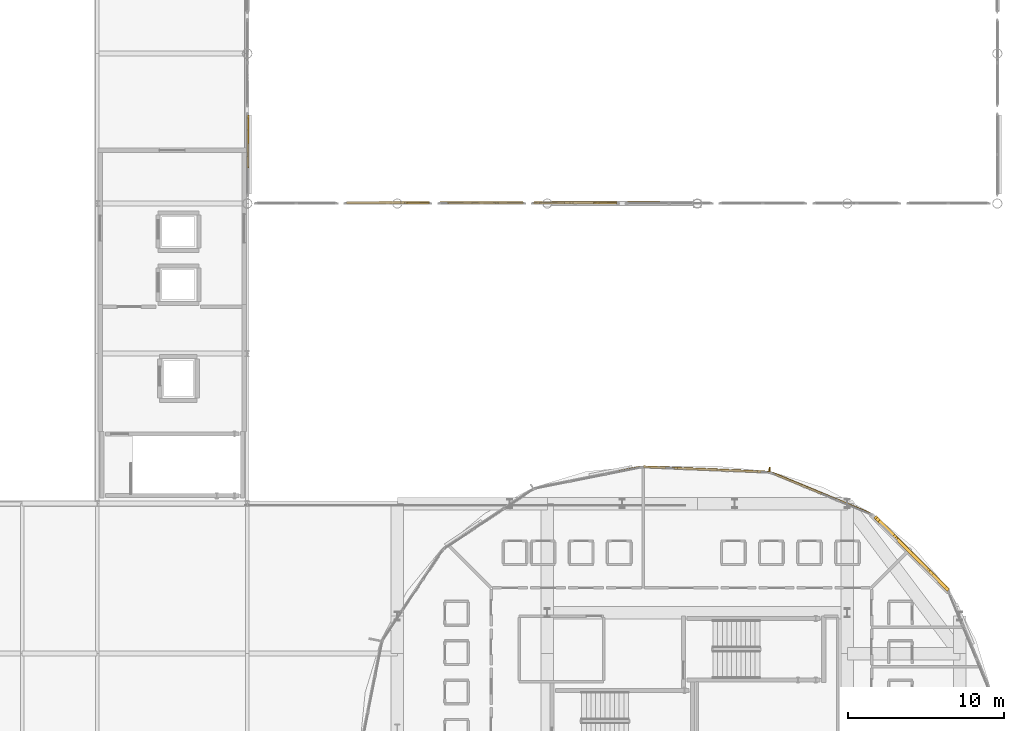
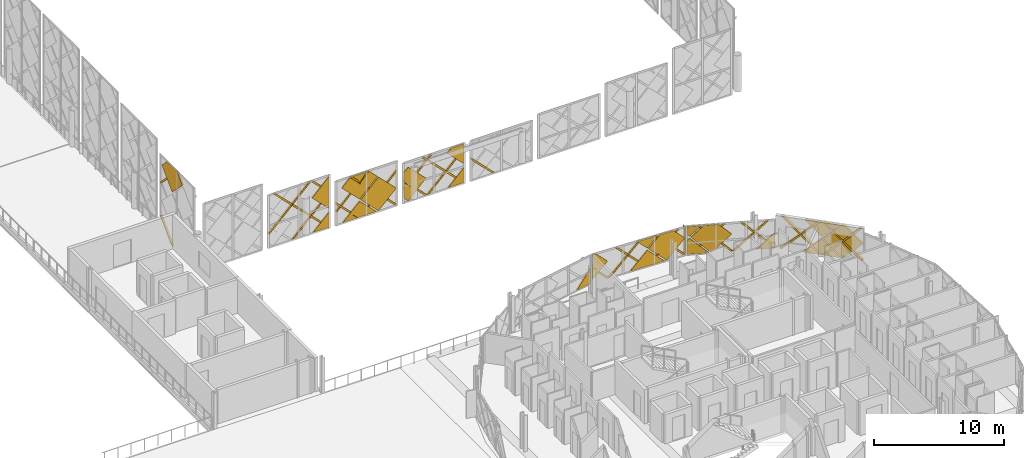
# One storey, part 46 of 53: 49 coverings, 1 shading device.
"""IFC4 building model written with IfcOpenShell, lengths in metres."""

from ifc_helpers import new_model, si_unit, direction, frame, origin, origin_2d, place, context, subcontext, project, spatial, polyline, rectangle, outline, extrude, material, layer, layer_set, type_object, element, save


model = new_model("IFC4")

# Units and contexts
model_context = context("Model", 3, precision=1e-05, world=origin(), true_north=direction((0.0, 1.0)))
body_context = subcontext(model_context, "Body", "Model", "MODEL_VIEW")
ifc_project = project(units=[si_unit("LENGTHUNIT", "METRE"), si_unit("AREAUNIT", "SQUARE_METRE"), si_unit("VOLUMEUNIT", "CUBIC_METRE"), si_unit("PLANEANGLEUNIT", "RADIAN"), si_unit("MASSUNIT", "GRAM", prefix="KILO")], contexts=[model_context])

# Site, building, storey
site_placement = place(None, origin())
site = spatial("IfcSite", under=ifc_project, at=site_placement, CompositionType="ELEMENT")
building_placement = place(site_placement, origin())
building = spatial("IfcBuilding", under=site, at=building_placement, Name="Zevrakil Square Congress Hotel", CompositionType="ELEMENT")
storey_placement = place(building_placement, frame((0.0, 0.0, 14.699951171875)))
storey = spatial("IfcBuildingStorey", under=building, at=storey_placement, Name="L04", CompositionType="ELEMENT", Elevation=14.699951171875)

# Coverings
ifc_material_1 = material(Name="Architectural White Fibre-C GRC", Category="concrete")
ifc_layer_1 = layer(ifc_material_1, 0.06494140625)
ifc_layer_set_1 = layer_set([ifc_layer_1], Name="Architectural White Fibre-C GRC")
covering_type_1 = type_object("IfcCoveringType", Name="COV-DIA-WHITE", PredefinedType="CLADDING", material=ifc_layer_set_1)
covering_1_placement = place(storey_placement, frame((117.69091796875, 70.27001953125, 6.4599609375), z_axis=(0.999999803119, 0.0, 0.000627505033), x_axis=(0.000443679039, -0.707161000869, -0.707052418141)))
element("IfcCovering", 1, at=covering_1_placement, inside=storey, type_object=covering_type_1, Name="L04 45-degree white GRC diamond facade cassette 1169", PredefinedType="CLADDING", context=body_context, shape_type="SweptSolid", body=[
    extrude(outline(polyline([(0.0, 0.0), (2.248551445388027, 0.0), (2.248723641677915, -2.2483787986918093), (1.1796043338090656, -2.2486335248766522), (8.18831416173893e-05, -1.0692919546146604), (0.0, 0.0)])), origin(), (0.0, 0.0, -1.0), 0.1201171875),
])
covering_2_placement = place(storey_placement, frame((127.840087890625, 64.89501953125, -0.179931640625), z_axis=(0.0, 0.999999760125, 0.000692640526), x_axis=(1.0, 0.0, 0.0)))
element("IfcCovering", 2, at=covering_2_placement, inside=storey, type_object=covering_type_1, Name="L04 45-degree white GRC diamond facade cassette 1390", PredefinedType="CLADDING", context=body_context, shape_type="SweptSolid", body=[
    extrude(outline(polyline([(0.0, 0.0), (1.409912109375, 0.0), (1.409912109375, -1.4099124475784228), (0.0, 0.0)])), origin(), (0.0, 0.0, -1.0), 0.1201171875),
])
covering_3_placement = place(storey_placement, frame((127.760009765625, 64.89306640625, 3.10009765625), z_axis=(8.1926907e-05, 0.9999998322, 0.000573488352), x_axis=(0.707106738472, 0.000347586468, -0.707106738472)))
element("IfcCovering", 3, at=covering_3_placement, inside=storey, type_object=covering_type_1, Name="L04 45-degree white GRC diamond facade cassette 1392", PredefinedType="CLADDING", context=body_context, shape_type="SweptSolid", body=[
    extrude(outline(polyline([(0.0, 0.0), (2.107164524546562, -2.220446049250313e-16), (-3.394399104017509e-07, -2.1071646235498394), (0.0, 0.0)])), origin(), (0.0, 0.0, -1.0), 0.1201171875),
])
covering_4_placement = place(storey_placement, frame((131.989990234375, 64.89404296875, 1.330078125), z_axis=(0.0, 0.999999790873, 0.000646725815), x_axis=(-0.707106707249, 0.000457304257, -0.707106707249)))
element("IfcCovering", 4, at=covering_4_placement, inside=storey, type_object=covering_type_1, Name="L04 45-degree white GRC diamond facade cassette 1399", PredefinedType="CLADDING", context=body_context, shape_type="SweptSolid", body=[
    extrude(outline(polyline([(0.0, 0.0), (2.1354765131557993, 0.0), (4.465861884739297e-07, -2.1354765131557527), (0.0, 0.0)])), origin(), (0.0, 0.0, -1.0), 0.1201171875),
])
covering_5_placement = place(storey_placement, frame((133.669921875, 64.89306640625, 3.010009765625), z_axis=(2.3579e-08, 0.999999812541, 0.0006123053), x_axis=(-0.707106714489, 0.000432981944, -0.707106715321)))
element("IfcCovering", 5, at=covering_5_placement, inside=storey, type_object=covering_type_1, Name="L04 45-degree white GRC diamond facade cassette 1400", PredefinedType="CLADDING", context=body_context, shape_type="SweptSolid", body=[
    extrude(outline(polyline([(0.0, 0.0), (2.248378805382471, -2.220446049250313e-16), (2.248551863014511, -2.248551438825186), (0.01398373565752209, -2.2485514362281265), (4.241484949929486e-07, -2.2345681273566456), (0.0, 0.0)])), origin(), (0.0, 0.0, -1.0), 0.1201171875),
])
covering_6_placement = place(storey_placement, frame((130.39990234375, 64.89306640625, 3.10009765625), z_axis=(0.0, 0.999999855709, 0.000537198242), x_axis=(0.707106744717, 0.000379856539, -0.707106715627)))
element("IfcCovering", 6, at=covering_6_placement, inside=storey, type_object=covering_type_1, Name="L04 45-degree white GRC diamond facade cassette 1401", PredefinedType="CLADDING", context=body_context, shape_type="SweptSolid", body=[
    extrude(outline(polyline([(0.0, 0.0), (2.2487239762670375, 0.0), (2.2487237443071715, -2.2487239762670255), (1.1739075182906178, -2.2487240287661034), (-1.633682773505285e-07, -1.0748162260165428), (0.0, 0.0)])), origin(), (0.0, 0.0, -1.0), 0.1201171875),
])
covering_7_placement = place(storey_placement, frame((139.840087890625, 64.89501953125, -0.179931640625), z_axis=(0.0, 0.999999760125, 0.000692640526), x_axis=(1.0, 0.0, 0.0)))
element("IfcCovering", 7, at=covering_7_placement, inside=storey, type_object=covering_type_1, Name="L04 45-degree white GRC diamond facade cassette 1406", PredefinedType="CLADDING", context=body_context, shape_type="SweptSolid", body=[
    extrude(outline(polyline([(0.0, 0.0), (1.409912109375, 0.0), (1.409912109375, -1.4099124475784228), (0.0, 0.0)])), origin(), (0.0, 0.0, -1.0), 0.1201171875),
])
covering_8_placement = place(storey_placement, frame((136.31005859375, 64.89501953125, -0.169921875), z_axis=(-3.3643e-08, 0.999999812817, 0.000611854538), x_axis=(0.707052423992, -0.000432655961, 0.707161001849)))
element("IfcCovering", 8, at=covering_8_placement, inside=storey, type_object=covering_type_1, Name="L04 45-degree white GRC diamond facade cassette 1407", PredefinedType="CLADDING", context=body_context, shape_type="SweptSolid", body=[
    extrude(outline(polyline([(0.0, 0.0), (2.2485514454837037, -2.220446049250313e-16), (2.248724489826509, -2.2483787987223134), (1.7396282801660223, -2.2485905083050195), (-0.00013344140794085968, -0.5090962361932889), (0.0, 0.0)])), origin(), (0.0, 0.0, -1.0), 0.1201171875),
])
covering_9_placement = place(storey_placement, frame((139.760009765625, 64.89306640625, 3.10009765625), z_axis=(3.1678661e-05, 0.99999984975, 0.000547262537), x_axis=(0.707106739112, 0.000364572883, -0.707106729277)))
element("IfcCovering", 9, at=covering_9_placement, inside=storey, type_object=covering_type_1, Name="L04 45-degree white GRC diamond facade cassette 1408", PredefinedType="CLADDING", context=body_context, shape_type="SweptSolid", body=[
    extrude(outline(polyline([(0.0, 0.0), (2.107164524242563, 0.0), (0.7991202991382802, -1.3080440691485413), (0.000172548013121665, -0.5090962237457202), (0.0, 0.0)])), origin(), (0.0, 0.0, -1.0), 0.1201171875),
])
covering_10_placement = place(storey_placement, frame((160.227783203125, 42.42578125, 1.590087890625), z_axis=(0.70714710872, 0.70706626419, 0.000514464006), x_axis=(-0.499716692516, 0.500288319938, -0.707103121302)))
element("IfcCovering", 10, at=covering_10_placement, inside=storey, type_object=covering_type_1, Name="L04 45-degree white GRC diamond facade cassette 2236", PredefinedType="CLADDING", context=body_context, shape_type="SweptSolid", body=[
    extrude(outline(polyline([(0.0, 0.0), (2.1354873428434074, 0.0), (0.00010059302879517062, -2.1353652102343084), (0.0, 0.0)])), origin(), (0.0, 0.0, -1.0), 0.2099609375),
])
covering_11_placement = place(storey_placement, frame((160.291259765625, 42.362060546875, 1.679931640625), z_axis=(0.707106653014, 0.707106682595, 0.000566297132), x_axis=(0.500327645813, -0.499761378181, -0.707043712732)))
element("IfcCovering", 11, at=covering_11_placement, inside=storey, type_object=covering_type_1, Name="L04 45-degree white GRC diamond facade cassette 2237", PredefinedType="CLADDING", context=body_context, shape_type="SweptSolid", body=[
    extrude(outline(polyline([(0.0, 0.0), (2.2485791193809135, -2.220446049250313e-16), (2.2485593451645354, -2.234349563783218), (2.2345772795563033, -2.248334119202912), (0.19115304317137372, -2.248727413763295), (0.00021807814135788028, -2.0578264428065225), (0.0, 0.0)])), origin(), (0.0, 0.0, -1.0), 0.2099609375),
])
covering_12_placement = place(storey_placement, frame((160.2275390625, 42.425537109375, 1.77001953125), z_axis=(0.707106690704, 0.707106690704, 0.000505889244), x_axis=(0.499719561869, -0.500225478915, 0.707145550597)))
element("IfcCovering", 12, at=covering_12_placement, inside=storey, type_object=covering_type_1, Name="L04 45-degree white GRC diamond facade cassette 2238", PredefinedType="CLADDING", context=body_context, shape_type="SweptSolid", body=[
    extrude(outline(polyline([(0.0, 0.0), (1.9302818680281644, 1.1102230246251565e-16), (-3.195948134027127e-05, -1.9305260104099529), (0.0, 0.0)])), origin(), (0.0, 0.0, -1.0), 0.2099609375),
])
covering_13_placement = place(storey_placement, frame((156.171630859375, 45.549560546875, 0.080078125), z_axis=(0.382708598301, 0.923868946577, 0.000546201807), x_axis=(0.923869084389, -0.382708655389, 0.0)))
element("IfcCovering", 13, at=covering_13_placement, inside=storey, type_object=covering_type_1, Name="L04 45-degree white GRC diamond facade cassette 2243", PredefinedType="CLADDING", context=body_context, shape_type="SweptSolid", body=[
    extrude(outline(polyline([(0.0, 0.0), (1.409821214264322, 0.0), (1.4098759644796002, -1.4099123196891088), (0.0, 0.0)])), origin(), (0.0, 0.0, -1.0), 0.1201171875),
])
covering_14_placement = place(storey_placement, frame((151.35791015625, 47.54248046875, 1.590087890625), z_axis=(0.382714743738, 0.923866349879, 0.000626487164), x_axis=(-0.653201728691, 0.271070440395, -0.706999517665)))
element("IfcCovering", 14, at=covering_14_placement, inside=storey, type_object=covering_type_1, Name="L04 45-degree white GRC diamond facade cassette 2244", PredefinedType="CLADDING", context=body_context, shape_type="SweptSolid", body=[
    extrude(outline(polyline([(0.0, 0.0), (0.2627880900411389, -2.7755575615628914e-17), (1.199049172416016, -0.936467338451697), (-0.00019416830248641936, -2.135347450146476), (0.0, 0.0)])), origin(), (0.0, 0.0, -1.0), 0.1201171875),
])
covering_15_placement = place(storey_placement, frame((151.44091796875, 47.508056640625, 1.679931640625), z_axis=(0.382706349542, 0.923869821959, 0.000634108331), x_axis=(0.65351296242, -0.270227707217, -0.70703450708)))
element("IfcCovering", 15, at=covering_15_placement, inside=storey, type_object=covering_type_1, Name="L04 45-degree white GRC diamond facade cassette 2245", PredefinedType="CLADDING", context=body_context, shape_type="SweptSolid", body=[
    extrude(outline(polyline([(0.0, 0.0), (2.248608397014498, -4.440892098500626e-16), (2.2488916284757865, -2.248432880440708), (0.8347152941124307, -2.248614654048839), (0.00011808988431716294, -1.414187699903127), (0.0, 0.0)])), origin(), (0.0, 0.0, -1.0), 0.1201171875),
])
covering_16_placement = place(storey_placement, frame((151.35791015625, 47.54248046875, 1.77001953125), z_axis=(0.382560482311, 0.923930168735, 0.000721578016), x_axis=(0.653108758029, -0.270977020844, 0.707121209101)))
element("IfcCovering", 16, at=covering_16_placement, inside=storey, type_object=covering_type_1, Name="L04 45-degree white GRC diamond facade cassette 2246", PredefinedType="CLADDING", context=body_context, shape_type="SweptSolid", body=[
    extrude(outline(polyline([(0.0, 0.0), (1.2867839976174247, 0.0), (0.5118864045127027, -0.7749294121196418), (-6.168495400851737e-05, -0.2628155674670546), (0.0, 0.0)])), origin(), (0.0, 0.0, -1.0), 0.1201171875),
])
covering_17_placement = place(storey_placement, frame((147.70458984375, 47.800048828125, 1.590087890625), z_axis=(0.041956703621, 0.999119267912, 0.000568778624), x_axis=(-0.706443978215, 0.03006874353, -0.707129957155)))
element("IfcCovering", 17, at=covering_17_placement, inside=storey, type_object=covering_type_1, Name="L04 45-degree white GRC diamond facade cassette 2251", PredefinedType="CLADDING", context=body_context, shape_type="SweptSolid", body=[
    extrude(outline(polyline([(0.0, 0.0), (2.13540630027922, 0.0), (1.889679940902944e-05, -2.13552807919854), (0.0, 0.0)])), origin(), (0.0, 0.0, -1.0), 0.1201171875),
])
covering_18_placement = place(storey_placement, frame((147.794677734375, 47.796142578125, 1.679931640625), z_axis=(0.041965717325, 0.99911883263, 0.000660948393), x_axis=(0.706533573361, -0.0292085848, -0.707076493943)))
element("IfcCovering", 18, at=covering_18_placement, inside=storey, type_object=covering_type_1, Name="L04 45-degree white GRC diamond facade cassette 2252", PredefinedType="CLADDING", context=body_context, shape_type="SweptSolid", body=[
    extrude(outline(polyline([(0.0, 0.0), (2.2484749022784696, -2.220446049250313e-16), (2.2485502406466775, -2.234548547156217), (2.2345675267771896, -2.248532452775788), (0.8484183785809655, -2.2486895653343986), (-0.000166422992699089, -1.400177145474197), (0.0, 0.0)])), origin(), (0.0, 0.0, -1.0), 0.1201171875),
])
covering_19_placement = place(storey_placement, frame((144.2578125, 47.944580078125, 1.679931640625), z_axis=(0.042028409695, 0.999116217693, 0.000629540493), x_axis=(-0.706455389839, 0.029271885717, 0.707151991353)))
element("IfcCovering", 19, at=covering_19_placement, inside=storey, type_object=covering_type_1, Name="L04 45-degree white GRC diamond facade cassette 2253", PredefinedType="CLADDING", context=body_context, shape_type="SweptSolid", body=[
    extrude(outline(polyline([(0.0, 0.0), (1.4003133284556573, 0.0), (1.6266479266986906, -0.22636360997331995), (3.422196012903278e-05, -1.8525107964297702), (0.0, 0.0)])), origin(), (0.0, 0.0, -1.0), 0.1201171875),
])
covering_20_placement = place(storey_placement, frame((147.70458984375, 47.7998046875, 1.77001953125), z_axis=(0.04190695319, 0.999121437383, 0.000400794326), x_axis=(0.706502547142, -0.02991704597, 0.707077874949)))
element("IfcCovering", 20, at=covering_20_placement, inside=storey, type_object=covering_type_1, Name="L04 45-degree white GRC diamond facade cassette 2254", PredefinedType="CLADDING", context=body_context, shape_type="SweptSolid", body=[
    extrude(outline(polyline([(0.0, 0.0), (1.2730514081492075, 0.0), (9.031635253342607e-05, -1.2728572263651057), (0.0, 0.0)])), origin(), (0.0, 0.0, -1.0), 0.1201171875),
])
covering_21_placement = place(storey_placement, frame((141.345458984375, 47.70849609375, 0.080078125), z_axis=(-0.195117182695, 0.980779804763, 0.000509496002), x_axis=(0.980779932061, 0.19511720802, 0.0)))
element("IfcCovering", 21, at=covering_21_placement, inside=storey, type_object=covering_type_1, Name="L04 45-degree white GRC diamond facade cassette 2260", PredefinedType="CLADDING", context=body_context, shape_type="SweptSolid", body=[
    extrude(outline(polyline([(0.0, 0.0), (1.4101600118571058, 0.0), (1.410017103745763, -1.4099122923718828), (0.0, 0.0)])), origin(), (0.0, 0.0, -1.0), 0.1201171875),
])
ifc_material_2 = material(Name="Anodised Champagne Aluminium", Category="aluminium")
ifc_layer_2 = layer(ifc_material_2, 0.0849609375)
ifc_layer_set_2 = layer_set([ifc_layer_2], Name="Anodised Champagne Aluminium")
covering_type_2 = type_object("IfcCoveringType", Name="COV-DIAGRID-45", PredefinedType="MOLDING", material=ifc_layer_set_2)
covering_22_placement = place(storey_placement, frame((117.719970703125, 68.8662109375, -0.179931640625), z_axis=(0.999999916523, 0.000288757226, 0.000289089512), x_axis=(0.000288757214, -0.99999995831, 8.3477e-08)))
element("IfcCovering", 22, at=covering_22_placement, inside=storey, type_object=covering_type_2, Name="L04 45-degree aluminium diagrid rib 1172", PredefinedType="MOLDING", context=body_context, shape_type="SweptSolid", body=[
    extrude(outline(polyline([(0.0, 0.0), (0.21240233489486798, -2.81112161297318e-24), (-1.5837403004017168, -1.796142785384697), (-1.5837403181119811, -1.5839845911250197), (0.0, 0.0)])), origin(), (0.0, 0.0, -1.0), 0.14501953125),
])
covering_23_placement = place(storey_placement, frame((117.715576171875, 67.81787109375, 7.216064453125), z_axis=(0.999999915927, -0.0002899531, 0.0002899531), x_axis=(0.000289953088, 0.999999957964, 8.4073e-08)))
element("IfcCovering", 23, at=covering_23_placement, inside=storey, type_object=covering_type_2, Name="L04 45-degree aluminium diagrid rib 1175", PredefinedType="MOLDING", context=body_context, shape_type="SweptSolid", body=[
    extrude(outline(polyline([(0.0, 0.0), (0.2121581942066327, 0.0), (2.6320801887681777, -2.4199221980111894), (2.632080170931443, -2.6320803922178215), (0.0, 0.0)])), origin(), (0.0, 0.0, -1.0), 0.14501953125),
])
covering_24_placement = place(storey_placement, frame((129.25, 64.91796875, 3.093994140625), z_axis=(-0.000334420162, 0.999999888163, 0.000334420162), x_axis=(1.11837e-07, -0.000334420143, 0.999999944082)))
element("IfcCovering", 24, at=covering_24_placement, inside=storey, type_object=covering_type_2, Name="L04 45-degree aluminium diagrid rib 1394", PredefinedType="MOLDING", context=body_context, shape_type="SweptSolid", body=[
    extrude(outline(polyline([(0.0, 0.0), (0.2121581912614477, 5.6157808774107894e-24), (1.5661621969523216, -1.3540041571184345), (1.5661621732252162, -1.5661623483798808), (0.0, 0.0)])), origin(), (0.0, 0.0, -1.0), 0.14501953125),
])
covering_25_placement = place(storey_placement, frame((129.163818359375, 64.919921875, -0.179931640625), z_axis=(-0.000181110451, 0.999999891618, 0.000428908858), x_axis=(0.9999999836, 0.000181110434, 7.768e-08)))
element("IfcCovering", 25, at=covering_25_placement, inside=storey, type_object=covering_type_2, Name="L04 45-degree aluminium diagrid rib 1395", PredefinedType="MOLDING", context=body_context, shape_type="SweptSolid", body=[
    extrude(outline(polyline([(0.0, 0.0), (0.0861816392115782, 0.0), (0.0861816489974222, -0.12597655091249796), (-4.627685625598192, -4.840088701995825), (-4.839843825243692, -4.840088701995825), (0.0, 0.0)])), origin(), (0.0, 0.0, -1.0), 0.14501953125),
])
covering_26_placement = place(storey_placement, frame((129.25, 64.918212890625, 2.89404296875), z_axis=(-0.000287477056, 0.99999958606, 0.000863270454), x_axis=(-8.2643e-08, -0.000863270513, 0.999999627382)))
element("IfcCovering", 26, at=covering_26_placement, inside=storey, type_object=covering_type_2, Name="L04 45-degree aluminium diagrid rib 1397", PredefinedType="MOLDING", context=body_context, shape_type="SweptSolid", body=[
    extrude(outline(polyline([(0.0, 0.0), (0.21215833483042407, 1.3234889800848443e-23), (-3.0739746676964605, -3.286133202330571), (-3.073974685229852, -3.0739750079722734), (0.0, 0.0)])), origin(), (0.0, 0.0, -1.0), 0.14501953125),
])
covering_27_placement = place(storey_placement, frame((127.656005859375, 64.9169921875, 4.66015625), z_axis=(0.000305348139, 0.99999990687, 0.000304997164), x_axis=(-0.999999953381, 0.000305348125, 9.313e-08)))
element("IfcCovering", 27, at=covering_27_placement, inside=storey, type_object=covering_type_2, Name="L04 45-degree aluminium diagrid rib 1398", PredefinedType="MOLDING", context=body_context, shape_type="SweptSolid", body=[
    extrude(outline(polyline([(0.0, 0.0), (0.212158193234451, -2.8078904387053947e-24), (3.7060548602716223, -3.4938969920279583), (3.7060548404905242, -3.706299325898777), (0.0, 0.0)])), origin(), (0.0, 0.0, -1.0), 0.14501953125),
])
covering_28_placement = place(storey_placement, frame((135.163818359375, 64.919921875, -0.179931640625), z_axis=(-0.000180987837, 0.999999891614, 0.000428969235), x_axis=(0.999999983622, 0.000180987821, 7.7638e-08)))
element("IfcCovering", 28, at=covering_28_placement, inside=storey, type_object=covering_type_2, Name="L04 45-degree aluminium diagrid rib 1402", PredefinedType="MOLDING", context=body_context, shape_type="SweptSolid", body=[
    extrude(outline(polyline([(0.0, 0.0), (0.08618163921349134, 0.0), (0.08618164899408683, -0.12597655090923543), (-3.8276367842631966, -4.0400397380750634), (-4.040039124534407, -4.0400397380750634), (0.0, 0.0)])), origin(), (0.0, 0.0, -1.0), 0.14501953125),
])
covering_29_placement = place(storey_placement, frame((131.803955078125, 64.919921875, -0.179931640625), z_axis=(-0.0003115794, 0.99999990303, 0.000311221263), x_axis=(0.999999951459, 0.000311579385, 9.697e-08)))
element("IfcCovering", 29, at=covering_29_placement, inside=storey, type_object=covering_type_2, Name="L04 45-degree aluminium diagrid rib 1403", PredefinedType="MOLDING", context=body_context, shape_type="SweptSolid", body=[
    extrude(outline(polyline([(0.0, 0.0), (0.21215819282665782, 0.0), (-1.854003996244953, -2.0661623892209127), (-1.8540040168416378, -1.853760055757419), (0.0, 0.0)])), origin(), (0.0, 0.0, -1.0), 0.14501953125),
])
covering_30_placement = place(storey_placement, frame((135.25, 64.918212890625, 2.89404296875), z_axis=(-0.000287477056, 0.99999958606, 0.000863270454), x_axis=(-8.2643e-08, -0.000863270513, 0.999999627382)))
element("IfcCovering", 30, at=covering_30_placement, inside=storey, type_object=covering_type_2, Name="L04 45-degree aluminium diagrid rib 1404", PredefinedType="MOLDING", context=body_context, shape_type="SweptSolid", body=[
    extrude(outline(polyline([(0.0, 0.0), (0.21215833483042407, 1.3234889800848443e-23), (-3.0739746676964605, -3.286133202330571), (-3.073974685229852, -3.0739750079722734), (0.0, 0.0)])), origin(), (0.0, 0.0, -1.0), 0.14501953125),
])
covering_31_placement = place(storey_placement, frame((132.856201171875, 64.91748046875, 3.860107421875), z_axis=(0.000305170431, 0.999999906871, 0.000305170431), x_axis=(-0.999999953436, 0.000305170417, 9.3129e-08)))
element("IfcCovering", 31, at=covering_31_placement, inside=storey, type_object=covering_type_2, Name="L04 45-degree aluminium diagrid rib 1405", PredefinedType="MOLDING", context=body_context, shape_type="SweptSolid", body=[
    extrude(outline(polyline([(0.0, 0.0), (0.21240233385959167, 0.0), (2.906250135328076, -2.6938480523438493), (2.906250115547259, -2.90625038620344), (0.0, 0.0)])), origin(), (0.0, 0.0, -1.0), 0.14501953125),
])
covering_32_placement = place(storey_placement, frame((141.163818359375, 64.919921875, -0.179931640625), z_axis=(-0.000181083774, 0.99999989165, 0.000428845682), x_axis=(0.999999983604, 0.000181083757, 7.7657e-08)))
element("IfcCovering", 32, at=covering_32_placement, inside=storey, type_object=covering_type_2, Name="L04 45-degree aluminium diagrid rib 1409", PredefinedType="MOLDING", context=body_context, shape_type="SweptSolid", body=[
    extrude(outline(polyline([(0.0, 0.0), (0.08618163921199454, 1.1406045165281983e-24), (0.08618164899495591, -0.1259765509159113), (-3.4277344340260023, -3.639893185709056), (-3.639892633672527, -3.639893185709056), (0.0, 0.0)])), origin(), (0.0, 0.0, -1.0), 0.14501953125),
])
covering_33_placement = place(storey_placement, frame((137.803955078125, 64.919921875, -0.179931640625), z_axis=(-0.0003115794, 0.99999990303, 0.000311221263), x_axis=(0.999999951459, 0.000311579385, 9.697e-08)))
element("IfcCovering", 33, at=covering_33_placement, inside=storey, type_object=covering_type_2, Name="L04 45-degree aluminium diagrid rib 1410", PredefinedType="MOLDING", context=body_context, shape_type="SweptSolid", body=[
    extrude(outline(polyline([(0.0, 0.0), (0.21215819282665782, 0.0), (-1.854003996244953, -2.0661623892209127), (-1.8540040168416378, -1.853760055757419), (0.0, 0.0)])), origin(), (0.0, 0.0, -1.0), 0.14501953125),
])
covering_34_placement = place(storey_placement, frame((141.25, 64.918212890625, 2.89404296875), z_axis=(-0.000287477056, 0.99999958606, 0.000863270454), x_axis=(-8.2643e-08, -0.000863270513, 0.999999627382)))
element("IfcCovering", 34, at=covering_34_placement, inside=storey, type_object=covering_type_2, Name="L04 45-degree aluminium diagrid rib 1411", PredefinedType="MOLDING", context=body_context, shape_type="SweptSolid", body=[
    extrude(outline(polyline([(0.0, 0.0), (0.21215833483042407, 1.3234889800848443e-23), (-3.0739746676964605, -3.286133202330571), (-3.073974685229852, -3.0739750079722734), (0.0, 0.0)])), origin(), (0.0, 0.0, -1.0), 0.14501953125),
])
covering_35_placement = place(storey_placement, frame((138.4560546875, 64.917724609375, 3.4599609375), z_axis=(0.000305355897, 0.999999906865, 0.000305004913), x_axis=(-0.999999953379, 0.000305355883, 9.3135e-08)))
element("IfcCovering", 35, at=covering_35_placement, inside=storey, type_object=covering_type_2, Name="L04 45-degree aluminium diagrid rib 1412", PredefinedType="MOLDING", context=body_context, shape_type="SweptSolid", body=[
    extrude(outline(polyline([(0.0, 0.0), (0.21215819323394844, 0.0), (2.5061036324623407, -2.2937015119703363), (2.506103612680237, -2.506103845840653), (0.0, 0.0)])), origin(), (0.0, 0.0, -1.0), 0.14501953125),
])
covering_36_placement = place(storey_placement, frame((143.803955078125, 64.919921875, -0.179931640625), z_axis=(-0.0003115794, 0.99999990303, 0.000311221263), x_axis=(0.999999951459, 0.000311579385, 9.697e-08)))
element("IfcCovering", 36, at=covering_36_placement, inside=storey, type_object=covering_type_2, Name="L04 45-degree aluminium diagrid rib 1417", PredefinedType="MOLDING", context=body_context, shape_type="SweptSolid", body=[
    extrude(outline(polyline([(0.0, 0.0), (0.21215819282665782, 0.0), (-1.854003996244953, -2.0661623892209127), (-1.8540040168416378, -1.853760055757419), (0.0, 0.0)])), origin(), (0.0, 0.0, -1.0), 0.14501953125),
])
covering_37_placement = place(storey_placement, frame((162.490234375, 40.19970703125, 0.080078125), z_axis=(0.707265740418, 0.706947303806, 0.000825876555), x_axis=(0.706947545009, -0.707265981513, -1.85962e-07)))
element("IfcCovering", 37, at=covering_37_placement, inside=storey, type_object=covering_type_2, Name="L04 45-degree aluminium diagrid rib 2239", PredefinedType="MOLDING", context=body_context, shape_type="SweptSolid", body=[
    extrude(outline(polyline([(0.0, 0.0), (0.08597147658789239, 0.0), (0.0859714531610962, -0.1259765195374422), (-2.8427557729872794, -3.0549321670964997), (-3.0549223675346657, -3.0549320245225426), (0.0, 0.0)])), origin(), (0.0, 0.0, -1.0), 0.235107421875),
])
covering_38_placement = place(storey_placement, frame((160.114501953125, 42.57568359375, 0.080078125), z_axis=(0.707681169288, 0.7065304682, 0.001435318675), x_axis=(0.706531195977, -0.70768189825, 0.0)))
element("IfcCovering", 38, at=covering_38_placement, inside=storey, type_object=covering_type_2, Name="L04 45-degree aluminium diagrid rib 2240", PredefinedType="MOLDING", context=body_context, shape_type="SweptSolid", body=[
    extrude(outline(polyline([(0.0, 0.0), (0.21216663128756907, 0.0), (-2.8429257113415254, -3.0549347874228387), (-3.0550923426290946, -3.0549347874228387), (0.0, 0.0)])), origin(), (0.0, 0.0, -1.0), 0.235107421875),
])
covering_39_placement = place(storey_placement, frame((162.53662109375, 40.15087890625, 3.135009765625), z_axis=(0.707106668284, 0.707106668284, 0.000565097633), x_axis=(-0.707106781187, 0.707106781187, 0.0)))
element("IfcCovering", 39, at=covering_39_placement, inside=storey, type_object=covering_type_2, Name="L04 45-degree aluminium diagrid rib 2241", PredefinedType="MOLDING", context=body_context, shape_type="SweptSolid", body=[
    extrude(outline(polyline([(0.0, 0.0), (0.21233919454576503, 0.0), (3.2672614601407712, -3.0549321283989266), (3.055267532578007, -3.0549321283989266), (0.0, 0.0)])), origin(), (0.0, 0.0, -1.0), 0.235107421875),
])
covering_40_placement = place(storey_placement, frame((160.16064453125, 42.52685546875, 3.135009765625), z_axis=(0.707106644575, 0.707106644575, 0.000621607376), x_axis=(-0.707106781409, 0.707106780964, 5.05783e-07)))
element("IfcCovering", 40, at=covering_40_placement, inside=storey, type_object=covering_type_2, Name="L04 45-degree aluminium diagrid rib 2242", PredefinedType="MOLDING", context=body_context, shape_type="SweptSolid", body=[
    extrude(outline(polyline([(0.0, 0.0), (0.21216656105429152, 0.0), (3.267087281515894, -3.05493388326922), (3.0549207204617104, -3.054933668648717), (0.0, 0.0)])), origin(), (0.0, 0.0, -1.0), 0.235107421875),
])
covering_41_placement = place(storey_placement, frame((157.404296875, 45.06591796875, 0.080078125), z_axis=(0.382395497625, 0.923998704488, 0.000278388668), x_axis=(0.923998740364, -0.382395512271, -6.67494e-07)))
element("IfcCovering", 41, at=covering_41_placement, inside=storey, type_object=covering_type_2, Name="L04 45-degree aluminium diagrid rib 2247", PredefinedType="MOLDING", context=body_context, shape_type="SweptSolid", body=[
    extrude(outline(polyline([(0.0, 0.0), (0.08605092480542723, 0.0), (0.08614419899623096, -0.12597662048116345), (-2.3880434929591896, -2.5998519952603596), (-2.599958116945036, -2.599851847937726), (0.0, 0.0)])), origin(), (0.0, 0.0, -1.0), 0.14501953125),
])
covering_42_placement = place(storey_placement, frame((154.300048828125, 46.351806640625, 0.080078125), z_axis=(0.382571929627, 0.923925592453, 0.000467195133), x_axis=(0.923925693331, -0.382571971272, -2.48383e-07)))
element("IfcCovering", 42, at=covering_42_placement, inside=storey, type_object=covering_type_2, Name="L04 45-degree aluminium diagrid rib 2248", PredefinedType="MOLDING", context=body_context, shape_type="SweptSolid", body=[
    extrude(outline(polyline([(0.0, 0.0), (0.21214019194507347, 0.0), (-2.387723270996589, -2.5998532062911517), (-2.5999568643018365, -2.5998531008837755), (0.0, 0.0)])), origin(), (0.0, 0.0, -1.0), 0.14501953125),
])
for number, where, z_axis, x_axis, name in (
    (43, (157.04541015625, 45.212890625, 2.679931640625), (0.382775368244, 0.923841302303, 0.000515387888), (-0.923841424969, 0.382775419158, -1.60391e-07), "L04 45-degree aluminium diagrid rib 2249"),
    (44, (153.941162109375, 46.498779296875, 2.679931640625), (0.382775368244, 0.923841302303, 0.000515387888), (-0.923841424969, 0.382775419158, -1.60391e-07), "L04 45-degree aluminium diagrid rib 2250"),
):
    element("IfcCovering", number, at=place(storey_placement, frame(where, z_axis=z_axis, x_axis=x_axis)), inside=storey, type_object=covering_type_2, Name=name, PredefinedType="MOLDING", context=body_context, shape_type="SweptSolid", body=[
        extrude(outline(polyline([(0.0, 0.0), (0.21223361299549906, 0.0), (2.8120901680691976, -2.5998534098834063), (2.6001755533266597, -2.59985347791302), (0.0, 0.0)])), origin(), (0.0, 0.0, -1.0), 0.14501953125),
    ])
covering_43_placement = place(storey_placement, frame((150.876953125, 47.692626953125, 0.080078125), z_axis=(0.04164315776, 0.999132520507, 0.00023211303), x_axis=(0.99913254742, -0.041643158932, 2.16484e-07)))
element("IfcCovering", 45, at=covering_43_placement, inside=storey, type_object=covering_type_2, Name="L04 45-degree aluminium diagrid rib 2255", PredefinedType="MOLDING", context=body_context, shape_type="SweptSolid", body=[
    extrude(outline(polyline([(0.0, 0.0), (0.08601545509664175, 1.0587911840678754e-22), (0.0860154823685466, -0.12597655910641145), (-2.377768241043941, -2.590088481757919), (-2.5901084113148376, -2.590088540144058), (0.0, 0.0)])), origin(), (0.0, 0.0, -1.0), 0.14501953125),
])
covering_44_placement = place(storey_placement, frame((147.52001953125, 47.833740234375, 0.080078125), z_axis=(0.042612523145, 0.999090914277, 0.001232022595), x_axis=(0.999091672527, -0.042612555523, 3.0249e-08)))
element("IfcCovering", 46, at=covering_44_placement, inside=storey, type_object=covering_type_2, Name="L04 45-degree aluminium diagrid rib 2256", PredefinedType="MOLDING", context=body_context, shape_type="SweptSolid", body=[
    extrude(outline(polyline([(0.0, 0.0), (0.21186258413936188, -1.6940658945086007e-21), (-2.378000508651365, -2.590089928280427), (-2.59010701165609, -2.590089941105098), (0.0, 0.0)])), origin(), (0.0, 0.0, -1.0), 0.14501953125),
])
covering_45_placement = place(storey_placement, frame((144.162841796875, 47.974609375, 0.080078125), z_axis=(0.041434774024, 0.999141210982, 4.257471e-06), x_axis=(0.999141210991, -0.041434774024, 1.8e-11)))
element("IfcCovering", 47, at=covering_45_placement, inside=storey, type_object=covering_type_2, Name="L04 45-degree aluminium diagrid rib 2257", PredefinedType="MOLDING", context=body_context, shape_type="SweptSolid", body=[
    extrude(outline(polyline([(0.0, 0.0), (0.21209624585095074, 0.0), (-1.2139328856320455, -1.4260253906599343), (-1.2139328856358922, -1.213867187536857), (0.0, 0.0)])), origin(), (0.0, 0.0, -1.0), 0.14501953125),
])
covering_46_placement = place(storey_placement, frame((150.479248046875, 47.707763671875, 2.670166015625), z_axis=(0.042013555909, 0.999116891197, 0.000546667669), x_axis=(-0.99911704048, 0.042013562358, -3.14337e-07)))
element("IfcCovering", 48, at=covering_46_placement, inside=storey, type_object=covering_type_2, Name="L04 45-degree aluminium diagrid rib 2258", PredefinedType="MOLDING", context=body_context, shape_type="SweptSolid", body=[
    extrude(outline(polyline([(0.0, 0.0), (0.2121064680039185, 0.0), (2.802094984477736, -2.5900873968403877), (2.5899987736911902, -2.590087530183107), (0.0, 0.0)])), origin(), (0.0, 0.0, -1.0), 0.14501953125),
])
covering_47_placement = place(storey_placement, frame((147.122314453125, 47.848876953125, 2.670166015625), z_axis=(0.042013555909, 0.999116891197, 0.000546667669), x_axis=(-0.999117040495, 0.042013562015, 3.14352e-07)))
element("IfcCovering", 49, at=covering_47_placement, inside=storey, type_object=covering_type_2, Name="L04 45-degree aluminium diagrid rib 2259", PredefinedType="MOLDING", context=body_context, shape_type="SweptSolid", body=[
    extrude(outline(polyline([(0.0, 0.0), (0.21209621078658783, 0.0), (2.80209335611572, -2.590089158488341), (2.5899868881118433, -2.5900890251391733), (0.0, 0.0)])), origin(), (0.0, 0.0, -1.0), 0.14501953125),
])

# Shading device
ifc_material_3 = material(Name="Aluminium Anodised Bronze", Category="aluminium")
shading_device_type = type_object("IfcShadingDeviceType", Name="SHD-FIN-35", PredefinedType="JALOUSIE", material=ifc_material_3)
shading_device_placement = place(storey_placement, frame((151.02587890625, 47.761474609375, 0.10009765625), z_axis=(0.0, 0.0, 1.0), x_axis=(0.041962843485, 0.999119171954, 0.0)))
element("IfcShadingDevice", 50, at=shading_device_placement, inside=storey, type_object=shading_device_type, Name="L04 aluminium solar shading fin 123", PredefinedType="JALOUSIE", context=body_context, shape_type="SweptSolid", body=[
    extrude(rectangle(XDim=0.35009765625, YDim=0.080078125, at=origin_2d()), origin(), (0.0, 0.0, 1.0), 2.550048828125),
])

save(model, "model.ifc")
